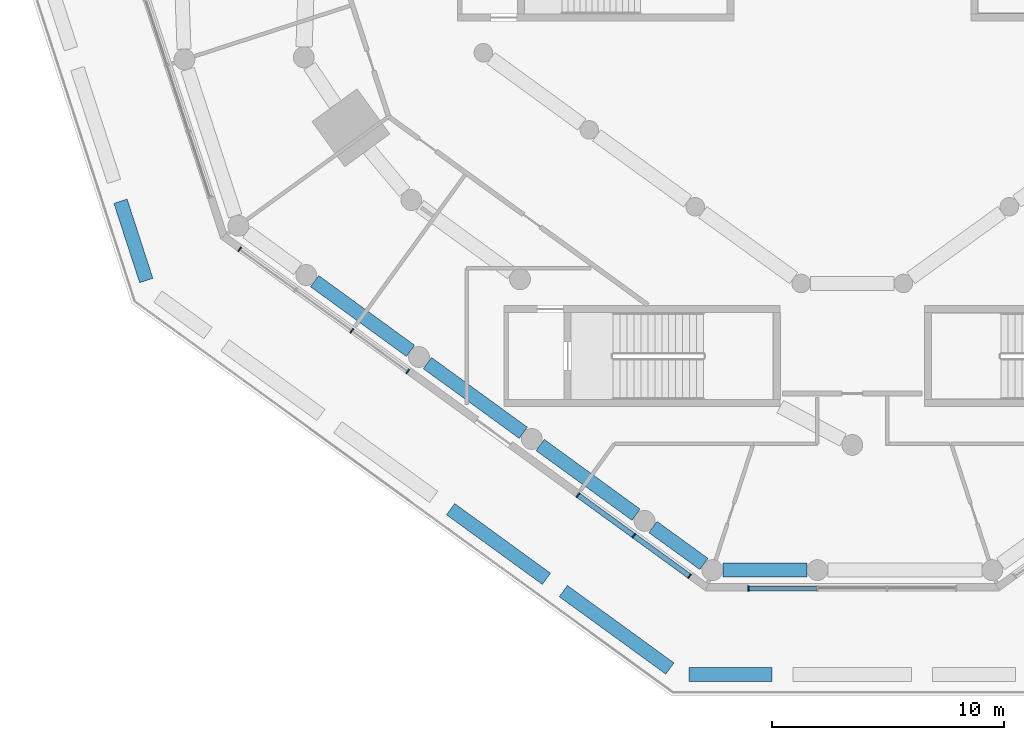
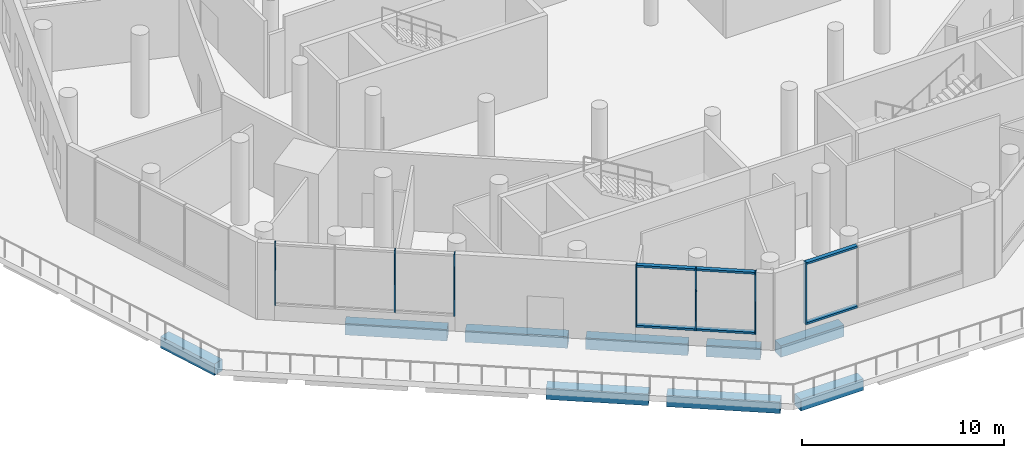
# One storey, part 2 of 19: 13 members, 9 beams, 3 elements without a shape of their own.
"""IFC4 building model written with IfcOpenShell, lengths in metres."""

from ifc_helpers import new_model, si_unit, direction, frame, origin, origin_2d, place, context, subcontext, project, spatial, rectangle, extrude, material, material_profile, profile_set, type_object, element, aggregate, save


model = new_model("IFC4")

# Units and contexts
model_context = context("Model", 3, precision=1e-05, world=origin(), true_north=direction((0.0, 1.0)))
body_context = subcontext(model_context, "Body", "Model", "MODEL_VIEW")
ifc_project = project(units=[si_unit("LENGTHUNIT", "METRE"), si_unit("AREAUNIT", "SQUARE_METRE"), si_unit("VOLUMEUNIT", "CUBIC_METRE"), si_unit("PLANEANGLEUNIT", "RADIAN"), si_unit("MASSUNIT", "GRAM", prefix="KILO")], contexts=[model_context])

# Site, building, storey
site_placement = place(None, origin())
site = spatial("IfcSite", under=ifc_project, at=site_placement, CompositionType="ELEMENT")
building_placement = place(site_placement, origin())
building = spatial("IfcBuilding", under=site, at=building_placement, Name="White Candle Pilgrim Tower", CompositionType="ELEMENT")
storey_placement = place(building_placement, frame((0.0, 0.0, 29.0)))
storey = spatial("IfcBuildingStorey", under=building, at=storey_placement, Name="L04", CompositionType="ELEMENT", Elevation=29.0)

# Curtain wall, members
ifc_material_1 = material(Name="Aluminium and glass", Category="aluminium")
curtain_wall_type = type_object("IfcCurtainWallType", Name="Curtain wall CW3 refectory and meeting glazing", PredefinedType="NOTDEFINED", material=ifc_material_1)
curtain_wall_1_placement = place(storey_placement, origin())
curtain_wall_1 = element("IfcCurtainWall", 1, at=curtain_wall_1_placement, inside=storey, type_object=curtain_wall_type, Name="Curtain wall CW3 L04 SW", PredefinedType="NOTDEFINED")
ifc_material_2 = material(Name="Aluminium", Category="aluminium")
ifc_material_profile_1 = material_profile(ifc_material_2, rectangle(XDim=0.22509765625, YDim=0.06005859375, at=origin_2d()), Name="CW3 mullion 60x225")
ifc_profile_set_1 = profile_set([ifc_material_profile_1], Name="Aluminium")
member_type_1 = type_object("IfcMemberType", Name="CW3 mullion 60x225", PredefinedType="MULLION", material=ifc_profile_set_1)
member_1_placement = place(storey_placement, frame((43.63037109375, 48.06982421875, 0.89990234375), z_axis=(0.0, 0.0, 1.0), x_axis=(0.587785250217, 0.809016995883, 0.0)))
member_1 = element("IfcMember", 2, at=member_1_placement, type_object=member_type_1, Name="CW3 mullion 1", PredefinedType="MULLION", context=body_context, shape_type="SweptSolid", body=[
    extrude(rectangle(XDim=0.22509765625, YDim=0.06005859375, at=origin_2d()), origin(), (0.0, 0.0, 1.0), 3.75),
])
member_2_placement = place(storey_placement, frame((48.460205078125, 44.560791015625, 0.89990234375), z_axis=(0.0, 0.0, 1.0), x_axis=(0.587785250217, 0.809016995883, 0.0)))
member_2 = element("IfcMember", 3, at=member_2_placement, type_object=member_type_1, Name="CW3 mullion 3", PredefinedType="MULLION", context=body_context, shape_type="SweptSolid", body=[
    extrude(rectangle(XDim=0.22509765625, YDim=0.06005859375, at=origin_2d()), origin(), (0.0, 0.0, 1.0), 3.75),
])
member_3_placement = place(storey_placement, frame((50.863037109375, 42.81494140625, 0.89990234375), z_axis=(0.0, 0.0, 1.0), x_axis=(0.587785250217, 0.809016995883, 0.0)))
member_3 = element("IfcMember", 4, at=member_3_placement, type_object=member_type_1, Name="CW3 mullion 4", PredefinedType="MULLION", context=body_context, shape_type="SweptSolid", body=[
    extrude(rectangle(XDim=0.22509765625, YDim=0.06005859375, at=origin_2d()), origin(), (0.0, 0.0, 1.0), 3.75),
])
aggregate(curtain_wall_1, [member_1, member_2, member_3])

curtain_wall_2_placement = place(storey_placement, origin())
curtain_wall_2 = element("IfcCurtainWall", 5, at=curtain_wall_2_placement, inside=storey, type_object=curtain_wall_type, Name="Curtain wall CW3 L04 SW", PredefinedType="NOTDEFINED")
member_4_placement = place(storey_placement, frame((58.192626953125, 37.48974609375, 0.89990234375), z_axis=(0.0, 0.0, 1.0), x_axis=(0.587785250203, 0.809016995893, 0.0)))
member_4 = element("IfcMember", 6, at=member_4_placement, type_object=member_type_1, Name="CW3 mullion 1", PredefinedType="MULLION", context=body_context, shape_type="SweptSolid", body=[
    extrude(rectangle(XDim=0.22509765625, YDim=0.06005859375, at=origin_2d()), origin(), (0.0, 0.0, 1.0), 3.75),
])
member_5_placement = place(storey_placement, frame((60.595458984375, 35.743896484375, 0.89990234375), z_axis=(0.0, 0.0, 1.0), x_axis=(0.587785250203, 0.809016995893, 0.0)))
member_5 = element("IfcMember", 7, at=member_5_placement, type_object=member_type_1, Name="CW3 mullion 2", PredefinedType="MULLION", context=body_context, shape_type="SweptSolid", body=[
    extrude(rectangle(XDim=0.22509765625, YDim=0.06005859375, at=origin_2d()), origin(), (0.0, 0.0, 1.0), 3.75),
])
member_6_placement = place(storey_placement, frame((62.998291015625, 33.998291015625, 0.89990234375), z_axis=(0.0, 0.0, 1.0), x_axis=(0.587785250203, 0.809016995893, 0.0)))
member_6 = element("IfcMember", 8, at=member_6_placement, type_object=member_type_1, Name="CW3 mullion 3", PredefinedType="MULLION", context=body_context, shape_type="SweptSolid", body=[
    extrude(rectangle(XDim=0.22509765625, YDim=0.06005859375, at=origin_2d()), origin(), (0.0, 0.0, 1.0), 3.75),
])

# Curtain wall, member
curtain_wall_3_placement = place(storey_placement, origin())
curtain_wall_3 = element("IfcCurtainWall", 9, at=curtain_wall_3_placement, inside=storey, type_object=curtain_wall_type, Name="Curtain wall CW3 L04 S chamfer", PredefinedType="NOTDEFINED")
member_7_placement = place(storey_placement, frame((65.530029296875, 33.4736328125, 0.89990234375), z_axis=(0.0, 0.0, 1.0), x_axis=(0.0, 1.0, 0.0)))
member_7 = element("IfcMember", 10, at=member_7_placement, type_object=member_type_1, Name="CW3 mullion 1", PredefinedType="MULLION", context=body_context, shape_type="SweptSolid", body=[
    extrude(rectangle(XDim=0.22509765625, YDim=0.06005859375, at=origin_2d()), origin(), (0.0, 0.0, 1.0), 3.75),
])

# Member
ifc_material_profile_2 = material_profile(ifc_material_2, rectangle(XDim=0.22509765625, YDim=0.1201171875, at=origin_2d()), Name="CW3 transom 120x225")
ifc_profile_set_2 = profile_set([ifc_material_profile_2], Name="Aluminium")
member_type_2 = type_object("IfcMemberType", Name="CW3 transom 120x225", PredefinedType="USERDEFINED", material=ifc_profile_set_2)
member_8_placement = place(storey_placement, frame((58.216796875, 37.47216796875, 0.9599609375), z_axis=(0.808979077872, -0.587837436342, 0.0), x_axis=(0.587837436342, 0.808979077872, 0.0)))
member_8 = element("IfcMember", 11, at=member_8_placement, type_object=member_type_2, Name="CW3 transom 1.1", ObjectType="TRANSOM", PredefinedType="USERDEFINED", context=body_context, shape_type="SweptSolid", body=[
    extrude(rectangle(XDim=0.22509765625, YDim=0.1201171875, at=origin_2d()), origin(), (0.0, 0.0, 1.0), 2.91015625),
])

member_9_placement = place(storey_placement, frame((58.216796875, 37.47216796875, 4.590087890625), z_axis=(0.808979077872, -0.587837436342, 0.0), x_axis=(0.587837436342, 0.808979077872, 0.0)))
member_9 = element("IfcMember", 12, at=member_9_placement, type_object=member_type_2, Name="CW3 transom 1.2", ObjectType="TRANSOM", PredefinedType="USERDEFINED", context=body_context, shape_type="SweptSolid", body=[
    extrude(rectangle(XDim=0.22509765625, YDim=0.1201171875, at=origin_2d()), origin(), (0.0, 0.0, 1.0), 2.91015625),
])

member_10_placement = place(storey_placement, frame((60.61962890625, 35.726318359375, 0.9599609375), z_axis=(0.809018973085, -0.587782528822, 0.0), x_axis=(0.587782528822, 0.809018973085, 0.0)))
member_10 = element("IfcMember", 13, at=member_10_placement, type_object=member_type_2, Name="CW3 transom 2.1", ObjectType="TRANSOM", PredefinedType="USERDEFINED", context=body_context, shape_type="SweptSolid", body=[
    extrude(rectangle(XDim=0.22509765625, YDim=0.1201171875, at=origin_2d()), origin(), (0.0, 0.0, 1.0), 2.909912109375),
])

member_11_placement = place(storey_placement, frame((60.61962890625, 35.726318359375, 4.590087890625), z_axis=(0.809018973085, -0.587782528822, 0.0), x_axis=(0.587782528822, 0.809018973085, 0.0)))
member_11 = element("IfcMember", 14, at=member_11_placement, type_object=member_type_2, Name="CW3 transom 2.2", ObjectType="TRANSOM", PredefinedType="USERDEFINED", context=body_context, shape_type="SweptSolid", body=[
    extrude(rectangle(XDim=0.22509765625, YDim=0.1201171875, at=origin_2d()), origin(), (0.0, 0.0, 1.0), 2.909912109375),
])

aggregate(curtain_wall_2, [member_4, member_5, member_6, member_8, member_9, member_10, member_11])

member_12_placement = place(storey_placement, frame((65.56005859375, 33.4736328125, 0.9599609375), z_axis=(1.0, 0.0, 0.0), x_axis=(0.0, 1.0, 0.0)))
member_12 = element("IfcMember", 15, at=member_12_placement, type_object=member_type_2, Name="CW3 transom 1.1", ObjectType="TRANSOM", PredefinedType="USERDEFINED", context=body_context, shape_type="SweptSolid", body=[
    extrude(rectangle(XDim=0.22509765625, YDim=0.1201171875, at=origin_2d()), origin(), (0.0, 0.0, 1.0), 2.909912109375),
])

member_13_placement = place(storey_placement, frame((65.56005859375, 33.4736328125, 4.590087890625), z_axis=(1.0, 0.0, 0.0), x_axis=(0.0, 1.0, 0.0)))
member_13 = element("IfcMember", 16, at=member_13_placement, type_object=member_type_2, Name="CW3 transom 1.2", ObjectType="TRANSOM", PredefinedType="USERDEFINED", context=body_context, shape_type="SweptSolid", body=[
    extrude(rectangle(XDim=0.22509765625, YDim=0.1201171875, at=origin_2d()), origin(), (0.0, 0.0, 1.0), 2.909912109375),
])

aggregate(curtain_wall_3, [member_7, member_12, member_13])

# Beams
ifc_material_3 = material(Name="Concrete C50/60", Category="concrete")
ifc_material_profile_3 = material_profile(ifc_material_3, rectangle(XDim=0.60009765625, YDim=0.699951171875, at=origin_2d()), Name="RC-BM 600x700")
ifc_profile_set_3 = profile_set([ifc_material_profile_3], Name="Concrete C50/60")
beam_type = type_object("IfcBeamType", Name="Spandrel beam RC-BM 600x700 C50/60", PredefinedType="BEAM", material=ifc_profile_set_3)
beam_1_placement = place(storey_placement, frame((38.5029296875, 50.13818359375, -0.699951171875), z_axis=(0.309029111375, -0.951052579158, 0.0), x_axis=(0.951052579158, 0.309029111375, 0.0)))
element("IfcBeam", 17, at=beam_1_placement, inside=storey, type_object=beam_type, Name="L04 spandrel beam B03", PredefinedType="BEAM", context=body_context, shape_type="SweptSolid", body=[
    extrude(rectangle(XDim=0.60009765625, YDim=0.699951171875, at=origin_2d()), origin(), (0.0, 0.0, 1.0), 3.5859375),
])
beam_2_placement = place(storey_placement, frame((52.7099609375, 36.884521484375, -0.699951171875), z_axis=(0.80900095282, -0.587807330965, 0.0), x_axis=(0.587807330965, 0.80900095282, 0.0)))
element("IfcBeam", 18, at=beam_2_placement, inside=storey, type_object=beam_type, Name="L04 spandrel beam B07", PredefinedType="BEAM", context=body_context, shape_type="SweptSolid", body=[
    extrude(rectangle(XDim=0.60009765625, YDim=0.699951171875, at=origin_2d()), origin(), (0.0, 0.0, 1.0), 5.100341796875),
])
beam_3_placement = place(storey_placement, frame((57.56396484375, 33.357666015625, -0.699951171875), z_axis=(0.808998591139, -0.587810581339, 0.0), x_axis=(0.587810581339, 0.808998591139, 0.0)))
element("IfcBeam", 19, at=beam_3_placement, inside=storey, type_object=beam_type, Name="L04 spandrel beam B08", PredefinedType="BEAM", context=body_context, shape_type="SweptSolid", body=[
    extrude(rectangle(XDim=0.60009765625, YDim=0.699951171875, at=origin_2d()), origin(), (0.0, 0.0, 1.0), 5.6689453125),
])
beam_4_placement = place(storey_placement, frame((62.964111328125, 29.760986328125, -0.699951171875), z_axis=(1.0, 0.0, 0.0), x_axis=(0.0, 1.0, 0.0)))
element("IfcBeam", 20, at=beam_4_placement, inside=storey, type_object=beam_type, Name="L04 spandrel beam B09", PredefinedType="BEAM", context=body_context, shape_type="SweptSolid", body=[
    extrude(rectangle(XDim=0.60009765625, YDim=0.699951171875, at=origin_2d()), origin(), (0.0, 0.0, 1.0), 3.5859375),
])
beam_5_placement = place(storey_placement, frame((46.85986328125, 46.696533203125, -0.699951171875), z_axis=(0.80900095282, -0.587807330965, 0.0), x_axis=(0.587807330965, 0.80900095282, 0.0)))
element("IfcBeam", 21, at=beam_5_placement, inside=storey, type_object=beam_type, Name="L04 spandrel beam C03", PredefinedType="BEAM", context=body_context, shape_type="SweptSolid", body=[
    extrude(rectangle(XDim=0.60009765625, YDim=0.699951171875, at=origin_2d()), origin(), (0.0, 0.0, 1.0), 5.100341796875),
])
beam_6_placement = place(storey_placement, frame((51.7138671875, 43.169677734375, -0.699951171875), z_axis=(0.809069240735, -0.587713334625, 0.0), x_axis=(0.587713334625, 0.809069240735, 0.0)))
element("IfcBeam", 22, at=beam_6_placement, inside=storey, type_object=beam_type, Name="L04 spandrel beam C04", PredefinedType="BEAM", context=body_context, shape_type="SweptSolid", body=[
    extrude(rectangle(XDim=0.60009765625, YDim=0.699951171875, at=origin_2d()), origin(), (0.0, 0.0, 1.0), 5.099853515625),
])
beam_7_placement = place(storey_placement, frame((56.56787109375, 39.6435546875, -0.699951171875), z_axis=(0.80900095282, -0.587807330965, 0.0), x_axis=(0.587807330965, 0.80900095282, 0.0)))
element("IfcBeam", 23, at=beam_7_placement, inside=storey, type_object=beam_type, Name="L04 spandrel beam C05", PredefinedType="BEAM", context=body_context, shape_type="SweptSolid", body=[
    extrude(rectangle(XDim=0.60009765625, YDim=0.699951171875, at=origin_2d()), origin(), (0.0, 0.0, 1.0), 5.100341796875),
])
beam_8_placement = place(storey_placement, frame((61.421875, 36.11669921875, -0.699951171875), z_axis=(0.809008975915, -0.587796288598, 0.0), x_axis=(0.587796288598, 0.809008975915, 0.0)))
element("IfcBeam", 24, at=beam_8_placement, inside=storey, type_object=beam_type, Name="L04 spandrel beam C06", PredefinedType="BEAM", context=body_context, shape_type="SweptSolid", body=[
    extrude(rectangle(XDim=0.60009765625, YDim=0.699951171875, at=origin_2d()), origin(), (0.0, 0.0, 1.0), 2.707275390625),
])
beam_9_placement = place(storey_placement, frame((64.426025390625, 34.260986328125, -0.699951171875), z_axis=(1.0, 0.0, 0.0), x_axis=(0.0, 1.0, 0.0)))
element("IfcBeam", 25, at=beam_9_placement, inside=storey, type_object=beam_type, Name="L04 spandrel beam C07", PredefinedType="BEAM", context=body_context, shape_type="SweptSolid", body=[
    extrude(rectangle(XDim=0.60009765625, YDim=0.699951171875, at=origin_2d()), origin(), (0.0, 0.0, 1.0), 3.6240234375),
])

save(model, "model.ifc")
